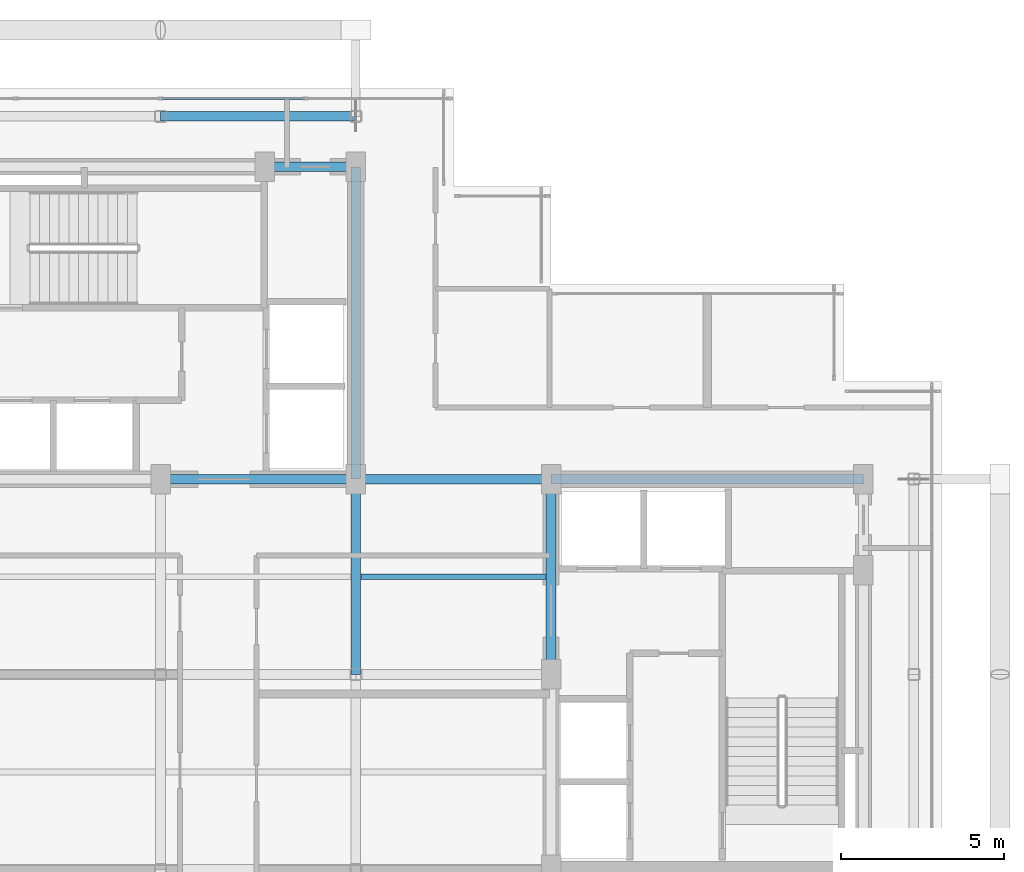
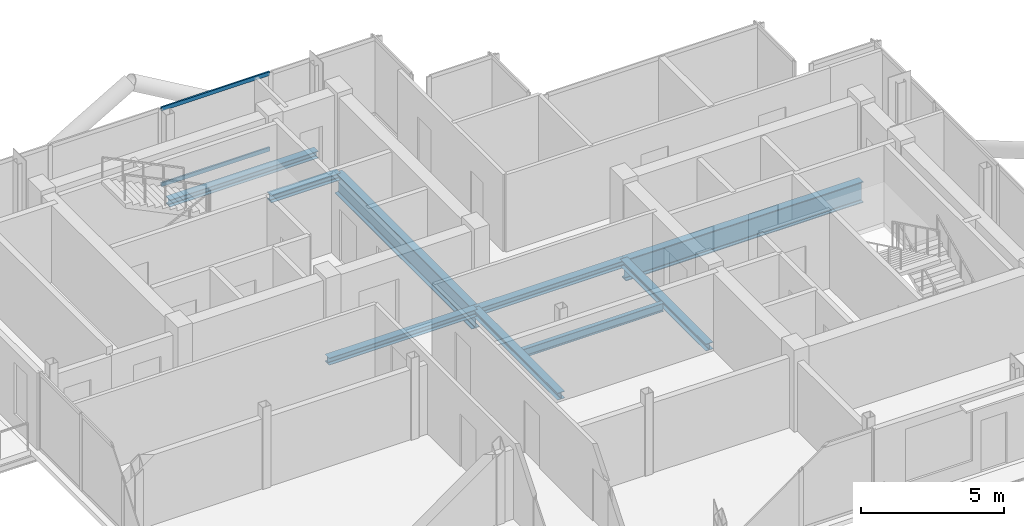
# One storey, part 10 of 19: 9 beams, 2 members, 1 element without a shape of its own.
"""IFC4 building model written with IfcOpenShell, lengths in metres."""

from ifc_helpers import new_model, si_unit, direction, frame, origin, origin_2d, place, context, subcontext, project, spatial, hollow_rectangle, i_section, extrude, material, layer, layer_set, material_profile, profile_set, type_object, element, aggregate, save


model = new_model("IFC4")

# Units and contexts
model_context = context("Model", 3, precision=1e-05, world=origin(), true_north=direction((0.0, 1.0)))
body_context = subcontext(model_context, "Body", "Model", "MODEL_VIEW")
ifc_project = project(units=[si_unit("LENGTHUNIT", "METRE"), si_unit("AREAUNIT", "SQUARE_METRE"), si_unit("VOLUMEUNIT", "CUBIC_METRE"), si_unit("PLANEANGLEUNIT", "RADIAN"), si_unit("MASSUNIT", "GRAM", prefix="KILO"), si_unit("THERMODYNAMICTEMPERATUREUNIT", "KELVIN"), si_unit("POWERUNIT", "WATT")], contexts=[model_context])

# Site, building, storey
site_placement = place(None, origin())
site = spatial("IfcSite", under=ifc_project, at=site_placement, CompositionType="ELEMENT")
building_placement = place(site_placement, origin())
building = spatial("IfcBuilding", under=site, at=building_placement, Name="Svarakhadi Broadcast Tower", CompositionType="ELEMENT")
storey_placement = place(building_placement, frame((0.0, 0.0, 285.199951171875)))
storey = spatial("IfcBuildingStorey", under=building, at=storey_placement, Name="L72", CompositionType="ELEMENT", Elevation=285.199951171875)

# Beam
ifc_material_1 = material(Name="Steel S355J2 (IS 2062 E350C)", Category="steel")
ifc_material_profile_1 = material_profile(ifc_material_1, i_section(OverallWidth=0.169921875, OverallDepth=0.360107421875, WebThickness=0.008056640625, FlangeThickness=0.0126953125, FilletRadius=0.01806640625, at=origin_2d()), Name="NPB 360x170x57")
ifc_profile_set_1 = profile_set([ifc_material_profile_1], Name="Steel S355J2 (IS 2062 E350C)")
beam_type_1 = type_object("IfcBeamType", Name="Beam_NPB360", PredefinedType="BEAM", material=ifc_profile_set_1)
beam_1_placement = place(storey_placement, frame((18.159912109375, 15.0, -0.3798828125), z_axis=(1.0, 0.0, 0.0), x_axis=(0.0, 1.0, 0.0)))
element("IfcBeam", 1, at=beam_1_placement, inside=storey, type_object=beam_type_1, Name="L72 Secondary Composite Beam SB012", PredefinedType="BEAM", context=body_context, shape_type="SweptSolid", body=[
    extrude(i_section(OverallWidth=0.169921875, OverallDepth=0.360107421875, WebThickness=0.008056640625, FlangeThickness=0.0126953125, FilletRadius=0.01806640625, at=origin_2d()), origin(), (0.0, 0.0, 1.0), 5.68017578125),
])

# Curtain wall, members
ifc_material_2 = material(Name="Anodised Bronze Aluminium AA 6063-T6", Category="aluminium")
ifc_layer = layer(ifc_material_2, 0.179931640625)
ifc_layer_set = layer_set([ifc_layer], Name="Anodised Bronze Aluminium AA 6063-T6")
curtain_wall_type = type_object("IfcCurtainWallType", Name="CW_Sys_05", PredefinedType="NOTDEFINED", material=ifc_layer_set)
curtain_wall_placement = place(storey_placement, origin())
curtain_wall = element("IfcCurtainWall", 2, at=curtain_wall_placement, inside=storey, type_object=curtain_wall_type, Name="L72 Unitised Facade Curtain Wall 05", PredefinedType="NOTDEFINED")
ifc_material_profile_2 = material_profile(ifc_material_2, hollow_rectangle(XDim=0.06494140625, YDim=0.1650390625, WallThickness=0.0048828125, at=origin_2d()), Name="ALU TRANSOM 165x65x5")
ifc_profile_set_2 = profile_set([ifc_material_profile_2], Name="Anodised Bronze Aluminium AA 6063-T6")
member_type = type_object("IfcMemberType", Name="CW_Sys_05_Trn", PredefinedType="USERDEFINED", material=ifc_profile_set_2)
member_1_placement = place(storey_placement, frame((12.034912109375, 29.699951171875, 0.032470703125), z_axis=(1.0, 0.0, 0.0), x_axis=(0.0, 1.0, 0.0)))
member_1 = element("IfcMember", 3, at=member_1_placement, type_object=member_type, Name="CW-05 transom 3.1", ObjectType="TRANSOM", PredefinedType="USERDEFINED", context=body_context, shape_type="SweptSolid", body=[
    extrude(hollow_rectangle(XDim=0.06494140625, YDim=0.1650390625, WallThickness=0.0048828125, at=origin_2d()), origin(), (0.0, 0.0, 1.0), 4.385009765625),
])
member_2_placement = place(storey_placement, frame((12.034912109375, 29.699951171875, 3.267578125), z_axis=(1.0, 0.0, 0.0), x_axis=(0.0, 1.0, 0.0)))
member_2 = element("IfcMember", 4, at=member_2_placement, type_object=member_type, Name="CW-05 transom 3.2", ObjectType="TRANSOM", PredefinedType="USERDEFINED", context=body_context, shape_type="SweptSolid", body=[
    extrude(hollow_rectangle(XDim=0.06494140625, YDim=0.1650390625, WallThickness=0.0048828125, at=origin_2d()), origin(), (0.0, 0.0, 1.0), 4.385009765625),
])
aggregate(curtain_wall, [member_1, member_2])

# Beams
ifc_material_profile_3 = material_profile(ifc_material_1, i_section(OverallWidth=0.300048828125, OverallDepth=0.300048828125, WebThickness=0.010986328125, FlangeThickness=0.01904296875, FilletRadius=0.027099609375, at=origin_2d()), Name="WPB 300x300x117")
ifc_profile_set_3 = profile_set([ifc_material_profile_3], Name="Steel S355J2 (IS 2062 E350C)")
beam_type_2 = type_object("IfcBeamType", Name="Girder_WPB300", PredefinedType="USERDEFINED", material=ifc_profile_set_3)
for number, where, z_axis, x_axis, name in (
    (5, (12.0, 18.0, -0.349853515625), (1.0, 0.0, 0.0), (0.0, 1.0, 0.0), "L72 Primary E-W Girder G019"),
    (6, (18.0, 18.0, -0.349853515625), (1.0, 0.0, 0.0), (0.0, 1.0, 0.0), "L72 Primary E-W Girder G020"),
):
    element("IfcBeam", number, at=place(storey_placement, frame(where, z_axis=z_axis, x_axis=x_axis)), inside=storey, type_object=beam_type_2, Name=name, ObjectType="GIRDER", PredefinedType="USERDEFINED", context=body_context, shape_type="SweptSolid", body=[
        extrude(i_section(OverallWidth=0.300048828125, OverallDepth=0.300048828125, WebThickness=0.010986328125, FlangeThickness=0.01904296875, FilletRadius=0.027099609375, at=origin_2d()), origin(), (0.0, 0.0, 1.0), 6.0),
    ])
beam_2_placement = place(storey_placement, frame((15.199951171875, 27.60009765625, -0.349853515625), z_axis=(1.0, 0.0, 0.0), x_axis=(0.0, 1.0, 0.0)))
element("IfcBeam", 7, at=beam_2_placement, inside=storey, type_object=beam_type_2, Name="L72 Primary E-W Girder G023", ObjectType="GIRDER", PredefinedType="USERDEFINED", context=body_context, shape_type="SweptSolid", body=[
    extrude(i_section(OverallWidth=0.300048828125, OverallDepth=0.300048828125, WebThickness=0.010986328125, FlangeThickness=0.01904296875, FilletRadius=0.027099609375, at=origin_2d()), origin(), (0.0, 0.0, 1.0), 2.800048828125),
])
for number, where, z_axis, x_axis, name in (
    (8, (12.0, 29.14990234375, -0.349853515625), (1.0, 0.0, 0.0), (0.0, 1.0, 0.0), "L72 Primary E-W Girder G025"),
    (9, (18.0, 12.0, -0.349853515625), (0.0, 1.0, 0.0), (-1.0, 0.0, 0.0), "L72 Primary N-S Girder G038"),
    (10, (24.0, 12.0, -0.349853515625), (0.0, 1.0, 0.0), (-1.0, 0.0, 0.0), "L72 Primary N-S Girder G042"),
):
    element("IfcBeam", number, at=place(storey_placement, frame(where, z_axis=z_axis, x_axis=x_axis)), inside=storey, type_object=beam_type_2, Name=name, ObjectType="GIRDER", PredefinedType="USERDEFINED", context=body_context, shape_type="SweptSolid", body=[
        extrude(i_section(OverallWidth=0.300048828125, OverallDepth=0.300048828125, WebThickness=0.010986328125, FlangeThickness=0.01904296875, FilletRadius=0.027099609375, at=origin_2d()), origin(), (0.0, 0.0, 1.0), 6.0),
    ])
ifc_material_3 = material(Name="Steel S460ML (IS 2062 E450BR)", Category="steel")
ifc_material_profile_4 = material_profile(ifc_material_3, i_section(OverallWidth=0.300048828125, OverallDepth=0.89990234375, WebThickness=0.0185546875, FlangeThickness=0.034912109375, FilletRadius=0.030029296875, at=origin_2d()), Name="WPB 900x300x291")
ifc_profile_set_4 = profile_set([ifc_material_profile_4], Name="Steel S460ML (IS 2062 E450BR)")
beam_type_3 = type_object("IfcBeamType", Name="Girder_WPB900", PredefinedType="USERDEFINED", material=ifc_profile_set_4)
for number, where, z_axis, x_axis, name in (
    (11, (24.0, 18.0, -0.64990234375), (1.0, 0.0, 0.0), (0.0, 1.0, 0.0), "L72 Primary E-W Girder G021"),
    (12, (18.0, 18.0, -0.64990234375), (0.0, 1.0, 0.0), (-1.0, 0.0, 0.0), "L72 Primary N-S Girder G039"),
):
    element("IfcBeam", number, at=place(storey_placement, frame(where, z_axis=z_axis, x_axis=x_axis)), inside=storey, type_object=beam_type_3, Name=name, ObjectType="GIRDER", PredefinedType="USERDEFINED", context=body_context, shape_type="SweptSolid", body=[
        extrude(i_section(OverallWidth=0.300048828125, OverallDepth=0.89990234375, WebThickness=0.0185546875, FlangeThickness=0.034912109375, FilletRadius=0.030029296875, at=origin_2d()), origin(), (0.0, 0.0, 1.0), 9.60009765625),
    ])

save(model, "model.ifc")
